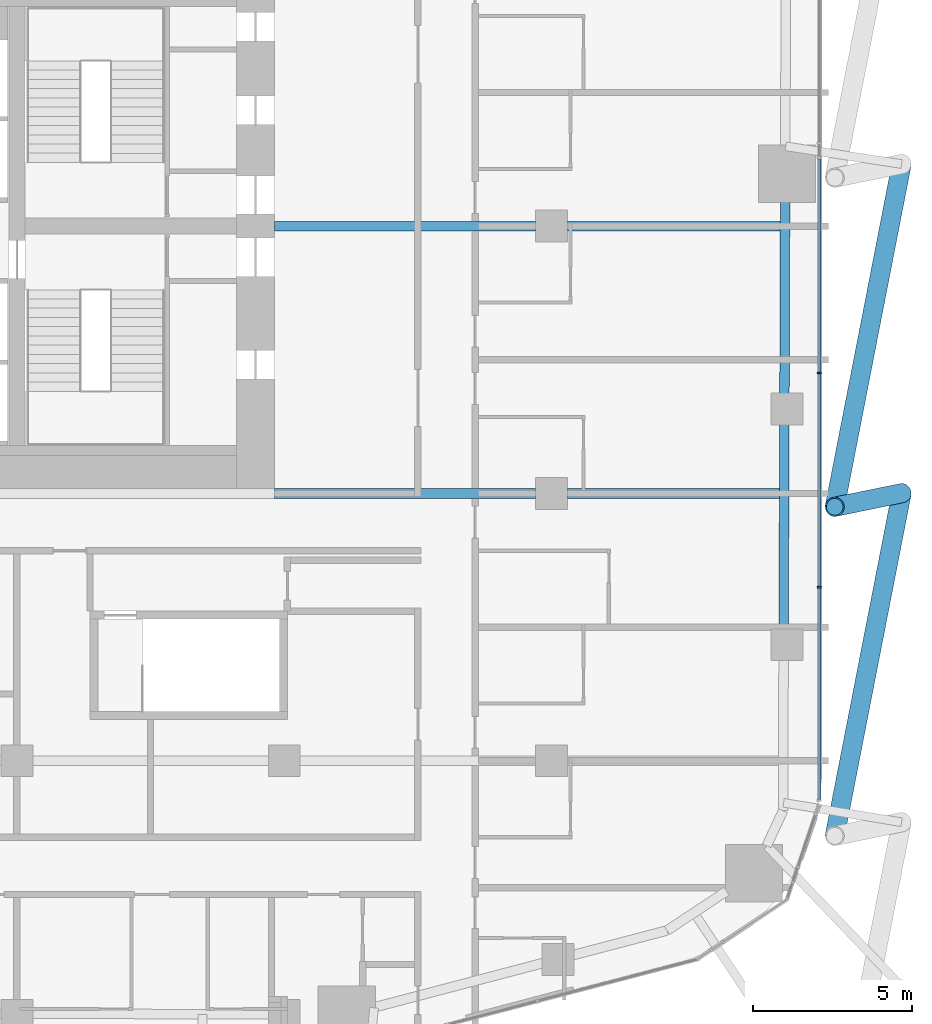
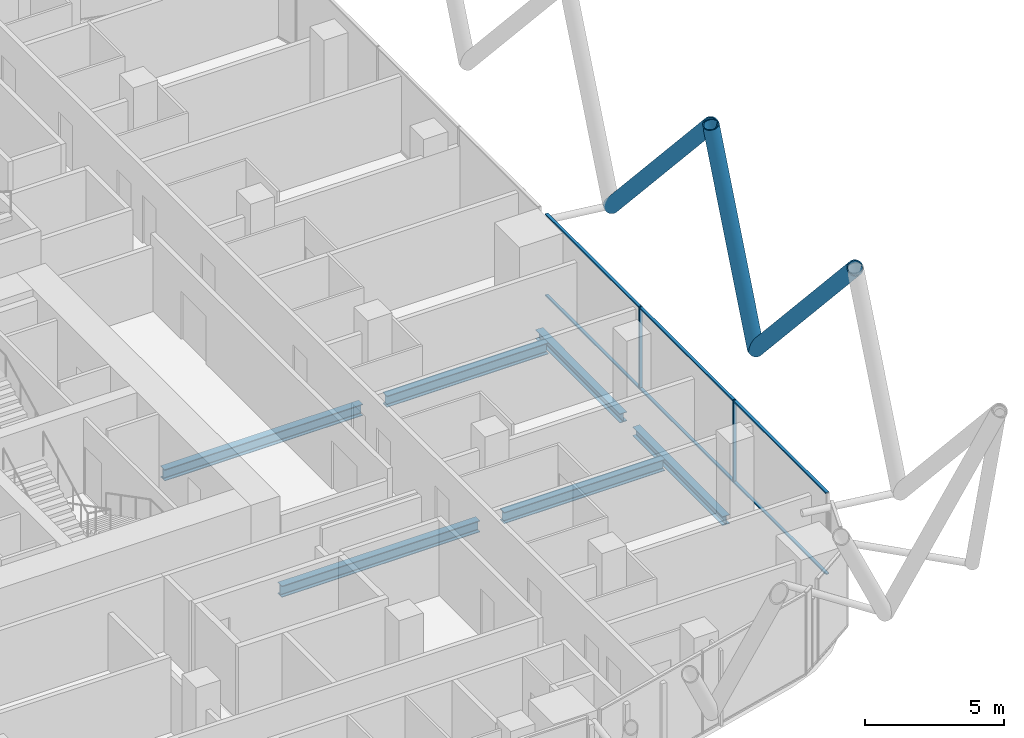
# One storey, part 8 of 36: 11 members, 6 beams, 1 element without a shape of its own.
"""IFC4 building model written with IfcOpenShell, lengths in metres."""

from ifc_helpers import new_model, si_unit, direction, frame, origin, origin_2d, place, context, subcontext, project, spatial, rectangle, hollow_circle, i_section, extrude, material, layer, layer_set, material_profile, profile_set, type_object, element, aggregate, save


model = new_model("IFC4")

# Units and contexts
model_context = context("Model", 3, precision=1e-05, world=origin(), true_north=direction((0.0, 1.0)))
body_context = subcontext(model_context, "Body", "Model", "MODEL_VIEW")
ifc_project = project(units=[si_unit("LENGTHUNIT", "METRE"), si_unit("AREAUNIT", "SQUARE_METRE"), si_unit("VOLUMEUNIT", "CUBIC_METRE"), si_unit("PLANEANGLEUNIT", "RADIAN"), si_unit("MASSUNIT", "GRAM", prefix="KILO")], contexts=[model_context])

# Site, building, storey
site_placement = place(None, origin())
site = spatial("IfcSite", under=ifc_project, at=site_placement, CompositionType="ELEMENT")
building_placement = place(site_placement, origin())
building = spatial("IfcBuilding", under=site, at=building_placement, Name="Marenta Gate Hotel Tower", CompositionType="ELEMENT")
storey_placement = place(building_placement, frame((0.0, 0.0, 83.300048828125)))
storey = spatial("IfcBuildingStorey", under=building, at=storey_placement, Name="L19", CompositionType="ELEMENT", Elevation=83.300048828125)

# Members
ifc_material_1 = material(Name="Steel S355J2W", Category="steel")
ifc_material_profile_1 = material_profile(ifc_material_1, hollow_circle(Radius=0.304931640625, WallThickness=0.0400390625, at=origin_2d()), Name="CHS 610x40")
ifc_profile_set_1 = profile_set([ifc_material_profile_1], Name="Steel S355J2W")
member_type_1 = type_object("IfcMemberType", Name="Diagrid diagonal T1 CHS 610x40", PredefinedType="BRACE", material=ifc_profile_set_1)
member_1_placement = place(storey_placement, frame((32.0, 10.349853515625, 3.139892578125), z_axis=(-0.136403114628, -0.69952185523, 0.701472283398), x_axis=(0.981514045442, -0.191390121478, 0.0)))
element("IfcMember", 1, at=member_1_placement, inside=storey, type_object=member_type_1, Name="L19-DG-6", PredefinedType="BRACE", context=body_context, shape_type="SweptSolid", body=[
    extrude(hollow_circle(Radius=0.304931640625, WallThickness=0.0400390625, at=origin_2d()), origin(), (0.0, 0.0, 1.0), 15.396240234375),
])
member_2_placement = place(storey_placement, frame((32.0, 0.010009765625, 3.139892578125), z_axis=(-0.190731650257, -0.039068724454, 0.980864451573), x_axis=(0.200669512824, -0.979658995071, 0.0)))
element("IfcMember", 2, at=member_2_placement, inside=storey, type_object=member_type_1, Name="L19-DG-7", PredefinedType="BRACE", context=body_context, shape_type="SweptSolid", body=[
    extrude(hollow_circle(Radius=0.304931640625, WallThickness=0.0400390625, at=origin_2d()), origin(), (0.0, 0.0, 1.0), 11.0107421875),
])
member_3_placement = place(storey_placement, frame((32.0, 0.010009765625, 3.139892578125), z_axis=(-0.136403114628, -0.69952185523, 0.701472283398), x_axis=(0.981514045442, -0.191390121478, 0.0)))
element("IfcMember", 3, at=member_3_placement, inside=storey, type_object=member_type_1, Name="L19-DG-8", PredefinedType="BRACE", context=body_context, shape_type="SweptSolid", body=[
    extrude(hollow_circle(Radius=0.304931640625, WallThickness=0.0400390625, at=origin_2d()), origin(), (0.0, 0.0, 1.0), 15.396240234375),
])

# Beams
ifc_material_2 = material(Name="Steel S355", Category="steel")
ifc_material_profile_2 = material_profile(ifc_material_2, i_section(OverallWidth=0.300048828125, OverallDepth=0.39990234375, WebThickness=0.013427734375, FlangeThickness=0.02392578125, FilletRadius=0.027099609375, at=origin_2d()), Name="HEB 400")
ifc_profile_set_2 = profile_set([ifc_material_profile_2], Name="Steel S355")
beam_type_1 = type_object("IfcBeamType", Name="Edge beam HEB 400", PredefinedType="SPANDREL", material=ifc_profile_set_2)
beam_1_placement = place(storey_placement, frame((28.3388671875, 9.18994140625, -0.4599609375), z_axis=(-0.003332378012, -0.999994447613, 0.0), x_axis=(0.999994447613, -0.003332378012, 0.0)))
element("IfcBeam", 4, at=beam_1_placement, inside=storey, type_object=beam_type_1, Name="L19-EB-25", PredefinedType="SPANDREL", context=body_context, shape_type="SweptSolid", body=[
    extrude(i_section(OverallWidth=0.300048828125, OverallDepth=0.39990234375, WebThickness=0.013427734375, FlangeThickness=0.02392578125, FilletRadius=0.027099609375, at=origin_2d()), origin(), (0.0, 0.0, 1.0), 6.080810546875),
])
beam_2_placement = place(storey_placement, frame((28.315673828125, 2.189208984375, -0.4599609375), z_axis=(-0.003352525703, -0.99999438027, 0.0), x_axis=(0.99999438027, -0.003352525703, 0.0)))
element("IfcBeam", 5, at=beam_2_placement, inside=storey, type_object=beam_type_1, Name="L19-EB-26", PredefinedType="SPANDREL", context=body_context, shape_type="SweptSolid", body=[
    extrude(i_section(OverallWidth=0.300048828125, OverallDepth=0.39990234375, WebThickness=0.013427734375, FlangeThickness=0.02392578125, FilletRadius=0.027099609375, at=origin_2d()), origin(), (0.0, 0.0, 1.0), 6.481201171875),
])
ifc_material_3 = material(Name="Steel S355", Category="steel")
ifc_material_profile_3 = material_profile(ifc_material_3, i_section(OverallWidth=0.300048828125, OverallDepth=0.5, WebThickness=0.014404296875, FlangeThickness=0.028076171875, FilletRadius=0.027099609375, at=origin_2d()), Name="HEB 500")
ifc_profile_set_3 = profile_set([ifc_material_profile_3], Name="Steel S355")
beam_type_2 = type_object("IfcBeamType", Name="Girder HEB 500", PredefinedType="BEAM", material=ifc_profile_set_3)
beam_3_placement = place(storey_placement, frame((12.300048828125, 0.0, -0.510009765625), z_axis=(1.0, 0.0, 0.0), x_axis=(0.0, 1.0, 0.0)))
element("IfcBeam", 6, at=beam_3_placement, inside=storey, type_object=beam_type_2, Name="L19-GD-11", PredefinedType="BEAM", context=body_context, shape_type="SweptSolid", body=[
    extrude(i_section(OverallWidth=0.300048828125, OverallDepth=0.5, WebThickness=0.014404296875, FlangeThickness=0.028076171875, FilletRadius=0.027099609375, at=origin_2d()), origin(), (0.0, 0.0, 1.0), 8.199951171875),
])
beam_4_placement = place(storey_placement, frame((21.5, 0.0, -0.510009765625), z_axis=(1.0, 0.0, 0.0), x_axis=(0.0, 1.0, 0.0)))
element("IfcBeam", 7, at=beam_4_placement, inside=storey, type_object=beam_type_2, Name="L19-GD-12", PredefinedType="BEAM", context=body_context, shape_type="SweptSolid", body=[
    extrude(i_section(OverallWidth=0.300048828125, OverallDepth=0.5, WebThickness=0.014404296875, FlangeThickness=0.028076171875, FilletRadius=0.027099609375, at=origin_2d()), origin(), (0.0, 0.0, 1.0), 6.658203125),
])
beam_5_placement = place(storey_placement, frame((12.300048828125, 8.39990234375, -0.510009765625), z_axis=(1.0, 0.0, 0.0), x_axis=(0.0, 1.0, 0.0)))
element("IfcBeam", 8, at=beam_5_placement, inside=storey, type_object=beam_type_2, Name="L19-GD-15", PredefinedType="BEAM", context=body_context, shape_type="SweptSolid", body=[
    extrude(i_section(OverallWidth=0.300048828125, OverallDepth=0.5, WebThickness=0.014404296875, FlangeThickness=0.028076171875, FilletRadius=0.027099609375, at=origin_2d()), origin(), (0.0, 0.0, 1.0), 8.199951171875),
])
beam_6_placement = place(storey_placement, frame((21.5, 8.39990234375, -0.510009765625), z_axis=(1.0, 0.0, 0.0), x_axis=(0.0, 1.0, 0.0)))
element("IfcBeam", 9, at=beam_6_placement, inside=storey, type_object=beam_type_2, Name="L19-GD-16", PredefinedType="BEAM", context=body_context, shape_type="SweptSolid", body=[
    extrude(i_section(OverallWidth=0.300048828125, OverallDepth=0.5, WebThickness=0.014404296875, FlangeThickness=0.028076171875, FilletRadius=0.027099609375, at=origin_2d()), origin(), (0.0, 0.0, 1.0), 6.686279296875),
])

# Curtain wall, members
ifc_material_4 = material(Name="Tinted insulated glass in bronze anodised frame", Category="glass")
ifc_layer = layer(ifc_material_4, 0.1201171875)
ifc_layer_set = layer_set([ifc_layer], Name="Tinted insulated glass in bronze anodised frame")
curtain_wall_type = type_object("IfcCurtainWallType", Name="Tower unitised curtain wall CW1", PredefinedType="NOTDEFINED", material=ifc_layer_set)
curtain_wall_placement = place(storey_placement, origin())
curtain_wall = element("IfcCurtainWall", 10, at=curtain_wall_placement, inside=storey, type_object=curtain_wall_type, Name="CW1 run G32", PredefinedType="NOTDEFINED")
ifc_material_5 = material(Name="Bronze anodised aluminium", Category="aluminium")
ifc_material_profile_4 = material_profile(ifc_material_5, rectangle(XDim=0.1201171875, YDim=0.06005859375, at=origin_2d()), Name="Mullion CW1 60x120 bronze anodised aluminium")
ifc_profile_set_4 = profile_set([ifc_material_profile_4], Name="Bronze anodised aluminium")
member_type_2 = type_object("IfcMemberType", Name="Mullion CW1 60x120 bronze anodised aluminium", PredefinedType="MULLION", material=ifc_profile_set_4)
member_4_placement = place(storey_placement, frame((29.4140625, -2.9443359375, 0.0), z_axis=(0.0, 0.0, 1.0), x_axis=(-1.0, 0.0, 0.0)))
member_4 = element("IfcMember", 11, at=member_4_placement, type_object=member_type_2, Name="CW1 mullion 2", PredefinedType="MULLION", context=body_context, shape_type="SweptSolid", body=[
    extrude(rectangle(XDim=0.1201171875, YDim=0.06005859375, at=origin_2d()), origin(), (0.0, 0.0, 1.0), 3.599853515625),
])
member_5_placement = place(storey_placement, frame((29.4140625, 3.786376953125, 0.0), z_axis=(0.0, 0.0, 1.0), x_axis=(-1.0, 0.0, 0.0)))
member_5 = element("IfcMember", 12, at=member_5_placement, type_object=member_type_2, Name="CW1 mullion 3", PredefinedType="MULLION", context=body_context, shape_type="SweptSolid", body=[
    extrude(rectangle(XDim=0.1201171875, YDim=0.06005859375, at=origin_2d()), origin(), (0.0, 0.0, 1.0), 3.599853515625),
])
ifc_material_6 = material(Name="Bronze anodised aluminium", Category="aluminium")
ifc_material_profile_5 = material_profile(ifc_material_6, rectangle(XDim=0.1201171875, YDim=0.06005859375, at=origin_2d()), Name="Transom CW1 60x120 bronze anodised aluminium")
ifc_profile_set_5 = profile_set([ifc_material_profile_5], Name="Bronze anodised aluminium")
member_type_3 = type_object("IfcMemberType", Name="Transom CW1 60x120 bronze anodised aluminium", PredefinedType="USERDEFINED", material=ifc_profile_set_5)
member_6_placement = place(storey_placement, frame((29.4140625, -9.614990234375, 0.030029296875), z_axis=(0.0, 1.0, 0.0), x_axis=(-1.0, 0.0, 0.0)))
member_6 = element("IfcMember", 13, at=member_6_placement, type_object=member_type_3, Name="CW1 transom 1.1", ObjectType="TRANSOM", PredefinedType="USERDEFINED", context=body_context, shape_type="SweptSolid", body=[
    extrude(rectangle(XDim=0.1201171875, YDim=0.06005859375, at=origin_2d()), origin(), (0.0, 0.0, 1.0), 6.640625),
])
member_7_placement = place(storey_placement, frame((29.4140625, -9.614990234375, 3.570068359375), z_axis=(0.0, 1.0, 0.0), x_axis=(-1.0, 0.0, 0.0)))
member_7 = element("IfcMember", 14, at=member_7_placement, type_object=member_type_3, Name="CW1 transom 1.2", ObjectType="TRANSOM", PredefinedType="USERDEFINED", context=body_context, shape_type="SweptSolid", body=[
    extrude(rectangle(XDim=0.1201171875, YDim=0.06005859375, at=origin_2d()), origin(), (0.0, 0.0, 1.0), 6.640625),
])
member_8_placement = place(storey_placement, frame((29.4140625, -2.914306640625, 0.030029296875), z_axis=(0.0, 1.0, 0.0), x_axis=(-1.0, 0.0, 0.0)))
member_8 = element("IfcMember", 15, at=member_8_placement, type_object=member_type_3, Name="CW1 transom 2.1", ObjectType="TRANSOM", PredefinedType="USERDEFINED", context=body_context, shape_type="SweptSolid", body=[
    extrude(rectangle(XDim=0.1201171875, YDim=0.06005859375, at=origin_2d()), origin(), (0.0, 0.0, 1.0), 6.670654296875),
])
member_9_placement = place(storey_placement, frame((29.4140625, -2.914306640625, 3.570068359375), z_axis=(0.0, 1.0, 0.0), x_axis=(-1.0, 0.0, 0.0)))
member_9 = element("IfcMember", 16, at=member_9_placement, type_object=member_type_3, Name="CW1 transom 2.2", ObjectType="TRANSOM", PredefinedType="USERDEFINED", context=body_context, shape_type="SweptSolid", body=[
    extrude(rectangle(XDim=0.1201171875, YDim=0.06005859375, at=origin_2d()), origin(), (0.0, 0.0, 1.0), 6.670654296875),
])
member_10_placement = place(storey_placement, frame((29.4140625, 3.81640625, 0.030029296875), z_axis=(0.0, 1.0, 0.0), x_axis=(-1.0, 0.0, 0.0)))
member_10 = element("IfcMember", 17, at=member_10_placement, type_object=member_type_3, Name="CW1 transom 3.1", ObjectType="TRANSOM", PredefinedType="USERDEFINED", context=body_context, shape_type="SweptSolid", body=[
    extrude(rectangle(XDim=0.1201171875, YDim=0.06005859375, at=origin_2d()), origin(), (0.0, 0.0, 1.0), 6.70068359375),
])
member_11_placement = place(storey_placement, frame((29.4140625, 3.81640625, 3.570068359375), z_axis=(0.0, 1.0, 0.0), x_axis=(-1.0, 0.0, 0.0)))
member_11 = element("IfcMember", 18, at=member_11_placement, type_object=member_type_3, Name="CW1 transom 3.2", ObjectType="TRANSOM", PredefinedType="USERDEFINED", context=body_context, shape_type="SweptSolid", body=[
    extrude(rectangle(XDim=0.1201171875, YDim=0.06005859375, at=origin_2d()), origin(), (0.0, 0.0, 1.0), 6.70068359375),
])
aggregate(curtain_wall, [member_4, member_5, member_6, member_7, member_8, member_9, member_10, member_11])

save(model, "model.ifc")
